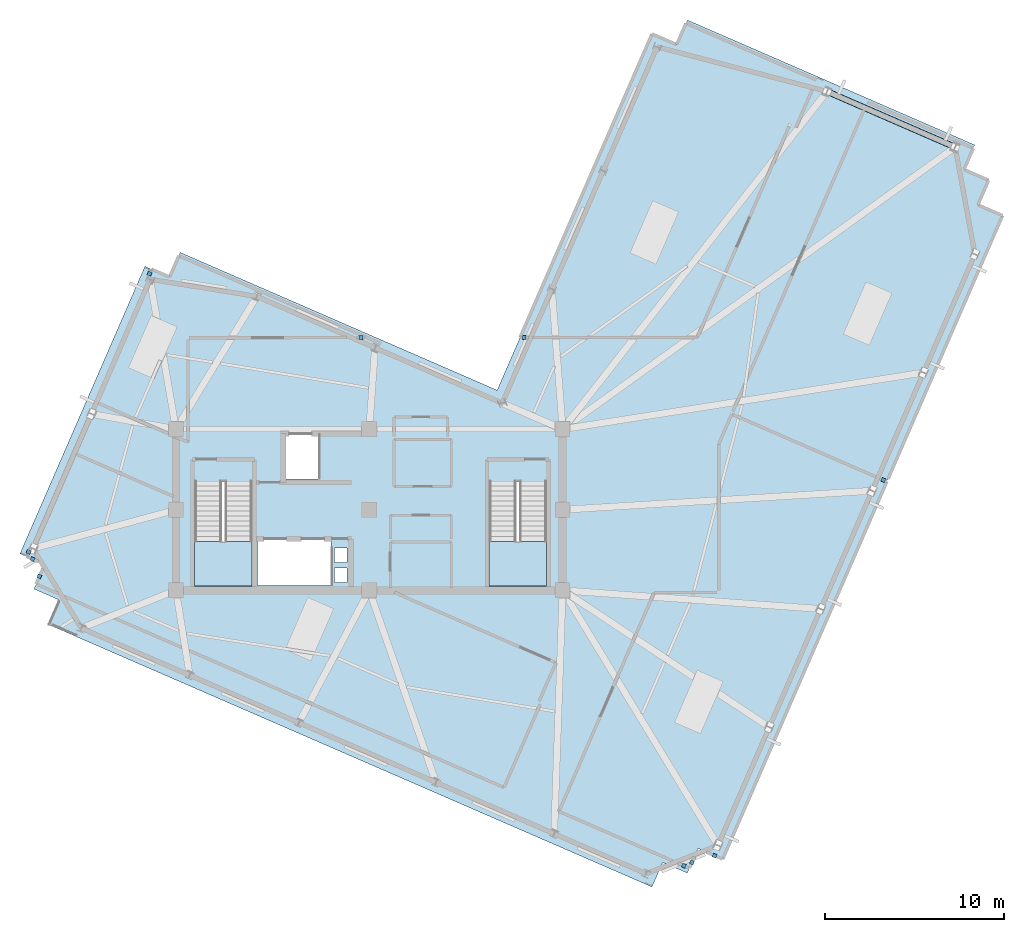
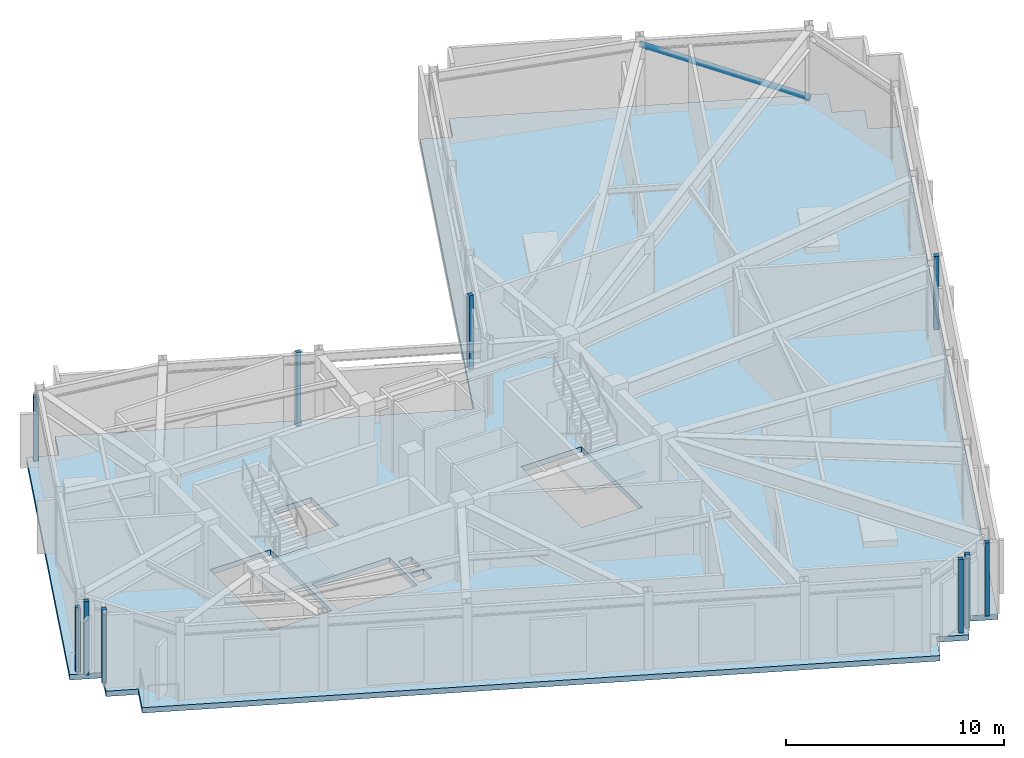
# One storey, part 4 of 11: 10 plates, 3 slabs, 1 member, 2 elements without a shape of their own.
"""IFC4 building model written with IfcOpenShell, lengths in metres."""

from ifc_helpers import new_model, si_unit, direction, frame, origin, origin_2d, place, context, subcontext, project, spatial, polyline, rectangle, hollow_circle, outline, extrude, material, layer, layer_set, material_profile, profile_set, type_object, element, aggregate, save


model = new_model("IFC4")

# Units and contexts
model_context = context("Model", 3, precision=1e-05, world=origin(), true_north=direction((0.0, 1.0)))
body_context = subcontext(model_context, "Body", "Model", "MODEL_VIEW")
ifc_project = project(units=[si_unit("LENGTHUNIT", "METRE"), si_unit("AREAUNIT", "SQUARE_METRE"), si_unit("VOLUMEUNIT", "CUBIC_METRE"), si_unit("PLANEANGLEUNIT", "RADIAN"), si_unit("MASSUNIT", "GRAM", prefix="KILO")], contexts=[model_context])

# Site, building, storey
site_placement = place(None, origin())
site = spatial("IfcSite", under=ifc_project, at=site_placement, CompositionType="ELEMENT")
building_placement = place(site_placement, origin())
building = spatial("IfcBuilding", under=site, at=building_placement, Name="Gaonmaruhae Medical Tower", CompositionType="ELEMENT")
storey_placement = place(building_placement, frame((0.0, 0.0, 338.199951171875)))
storey = spatial("IfcBuildingStorey", under=building, at=storey_placement, Name="L81", CompositionType="ELEMENT", Elevation=338.199951171875)

# Member
ifc_material_1 = material(Name="Steel SM355", Category="steel")
ifc_material_profile = material_profile(ifc_material_1, hollow_circle(Radius=0.1591796875, WallThickness=0.01025390625, at=origin_2d()), Name="CHS-318.5x10.3")
ifc_profile_set = profile_set([ifc_material_profile], Name="Steel SM355")
member_type = type_object("IfcMemberType", Name="PB-03 Perimeter Solid-Bay Tube Brace Upper (CHS-318.5x10.3)", PredefinedType="BRACE", material=ifc_profile_set)
member_placement = place(storey_placement, frame((57.525634765625, 32.552734375, 0.25), z_axis=(-0.832645637359, 0.362040848328, 0.419079547017), x_axis=(-0.398745568807, -0.917061596272, 0.0)))
element("IfcMember", 1, at=member_placement, inside=storey, type_object=member_type, Name="L81 Perimeter Tube Solid-Bay Brace E01-E02", PredefinedType="BRACE", context=body_context, shape_type="SweptSolid", body=[
    extrude(hollow_circle(Radius=0.1591796875, WallThickness=0.01025390625, at=origin_2d()), origin(), (0.0, 0.0, 1.0), 8.590576171875),
])

# Slab
ifc_material_2 = material(Name="Concrete C40/50", Category="concrete")
ifc_layer_1 = layer(ifc_material_2, 0.300048828125)
ifc_layer_set_1 = layer_set([ifc_layer_1], Name="Concrete C40/50")
slab_type_1 = type_object("IfcSlabType", Name="FS-300 Refuge & Plant Heavy Floor Slab", PredefinedType="FLOOR", material=ifc_layer_set_1)
slab_1_placement = place(storey_placement, frame((0.0, 0.0, -0.300048828125)))
element("IfcSlab", 2, at=slab_1_placement, inside=storey, type_object=slab_type_1, Name="L81 Structural Slab 1", PredefinedType="FLOOR", context=body_context, shape_type="SweptSolid", body=[
    extrude(outline(polyline([(44.540283203125, -7.218017578125), (60.171142578125, 28.730712890625), (58.795654296875, 29.328857421875), (59.393798828125, 30.70458984375), (58.01806640625, 31.302490234375), (58.6162109375, 32.67822265625), (42.567626953125, 39.65625), (41.969482421875, 38.28076171875), (40.593994140625, 38.87890625), (31.941162109375, 18.978515625), (14.241943359375, 26.674560546875), (13.643798828125, 25.298828125), (12.268310546875, 25.89697265625), (5.2900390625, 9.848388671875), (6.665771484375, 9.25048828125), (6.0673828125, 7.874755859375), (7.443115234375, 7.276611328125), (6.844970703125, 5.901123046875), (40.5927734375, -8.77294921875), (41.19091796875, -7.397216796875), (42.56640625, -7.995361328125), (43.164794921875, -6.619873046875), (44.540283203125, -7.218017578125)]), holes=[polyline([(23.550048828125, 9.050048828125), (23.550048828125, 8.25), (22.85009765625, 8.25), (22.85009765625, 9.050048828125), (23.550048828125, 9.050048828125)]), polyline([(18.550048828125, 8.074951171875), (18.550048828125, 10.625), (22.64990234375, 10.625), (22.64990234375, 8.074951171875), (18.550048828125, 8.074951171875)]), polyline([(23.550048828125, 9.35009765625), (22.85009765625, 9.35009765625), (22.85009765625, 10.14990234375), (23.550048828125, 10.14990234375), (23.550048828125, 9.35009765625)]), polyline([(15.050048828125, 8.300048828125), (15.050048828125, 13.889892578125), (18.25, 13.889892578125), (18.25, 8.300048828125), (15.050048828125, 8.300048828125)]), polyline([(31.5, 13.889892578125), (34.699951171875, 13.889892578125), (34.699951171875, 8.300048828125), (31.5, 8.300048828125), (31.5, 13.889892578125)]), polyline([(19.949951171875, 16.574951171875), (21.949951171875, 16.574951171875), (21.949951171875, 14.02490234375), (19.949951171875, 14.02490234375), (19.949951171875, 16.574951171875)])]), origin(), (0.0, 0.0, 1.0), 0.300048828125),
])

# Plates
ifc_material_3 = material(Name="Anodised aluminium 6063-T6", Category="aluminium")
ifc_layer_2 = layer(ifc_material_3, 0.011962890625)
ifc_layer_set_2 = layer_set([ifc_layer_2], Name="Anodised aluminium 6063-T6")
plate_type = type_object("IfcPlateType", Name="PP-01 Interior Partition Corner Stiffener Plate", PredefinedType="SHEET", material=ifc_layer_set_2)
for number, where, z_axis, x_axis, name in (
    (3, (53.511474609375, 13.96044921875, 0.0), (0.0, 0.0, 1.0), (0.917470197664, -0.397804520334, 0.0), "L81 Partition Corner Stiffener Plate PLT-L81-JGP-PW017"),
    (4, (44.08740234375, -7.02099609375, 0.0), (0.0, 0.0, 1.0), (-0.916879033383, 0.399165176517, 0.0), "L81 Partition Corner Stiffener Plate PLT-L81-JGP-PW019"),
    (5, (42.822998046875, -7.405029296875, 0.0), (0.0, 0.0, 1.0), (-0.398829095996, -0.917025273473, 0.0), "L81 Partition Corner Stiffener Plate PLT-L81-JGP-PW020"),
    (6, (42.37109375, -7.5830078125, 0.0), (0.0, 0.0, 1.0), (-0.917025273473, 0.398829095996, 0.0), "L81 Partition Corner Stiffener Plate PLT-L81-JGP-PW021"),
    (7, (33.45703125, 21.919921875, 0.0), (0.0, 0.0, 1.0), (-1.0, 0.0, 0.0), "L81 Partition Corner Stiffener Plate PLT-L81-JGP-PW034"),
):
    element("IfcPlate", number, at=place(storey_placement, frame(where, z_axis=z_axis, x_axis=x_axis)), inside=storey, type_object=plate_type, Name=name, PredefinedType="SHEET", context=body_context, shape_type="SweptSolid", body=[
        extrude(rectangle(XDim=0.219970703125, YDim=0.219970703125, at=origin_2d()), origin(), (0.0, 0.0, 1.0), 4.10009765625),
    ])
plate_1_placement = place(storey_placement, frame((5.7666015625, 9.94091796875, 0.0), z_axis=(0.0, 0.0, 1.0), x_axis=(0.398524976976, 0.917157479786, 0.0)))
element("IfcPlate", 8, at=plate_1_placement, inside=storey, type_object=plate_type, Name="L81 Partition Corner Stiffener Plate PLT-L81-JGP-PW040", PredefinedType="SHEET", context=body_context, shape_type="SweptSolid", body=[
    extrude(rectangle(XDim=0.219970703125, YDim=0.219970703125, at=origin_2d()), origin(), (0.0, 0.0, 1.0), 3.5849609375),
])
for number, where, z_axis, x_axis, name in (
    (9, (6.37451171875, 8.580078125, 0.0), (0.0, 0.0, 1.0), (0.399693194693, 0.91664897868, 0.0), "L81 Partition Corner Stiffener Plate PLT-L81-JGP-PW047"),
    (10, (5.991455078125, 9.54345703125, 0.0), (0.0, 0.0, 1.0), (-0.917004389573, 0.39887711078, 0.0), "L81 Partition Corner Stiffener Plate PLT-L81-JGP-PW048"),
    (11, (24.327880859375, 21.91845703125, 0.0), (0.0, 0.0, 1.0), (-0.999997806755, -0.002094393571, 0.0), "L81 Partition Corner Stiffener Plate PLT-L81-JGP-PW050"),
):
    element("IfcPlate", number, at=place(storey_placement, frame(where, z_axis=z_axis, x_axis=x_axis)), inside=storey, type_object=plate_type, Name=name, PredefinedType="SHEET", context=body_context, shape_type="SweptSolid", body=[
        extrude(rectangle(XDim=0.219970703125, YDim=0.219970703125, at=origin_2d()), origin(), (0.0, 0.0, 1.0), 4.10009765625),
    ])
plate_2_placement = place(storey_placement, frame((12.525390625, 25.485595703125, 0.0), z_axis=(0.0, 0.0, 1.0), x_axis=(0.397868570868, 0.917442423434, 0.0)))
element("IfcPlate", 12, at=plate_2_placement, inside=storey, type_object=plate_type, Name="L81 Partition Corner Stiffener Plate PLT-L81-JGP-PW054", PredefinedType="SHEET", context=body_context, shape_type="SweptSolid", body=[
    extrude(rectangle(XDim=0.219970703125, YDim=0.219970703125, at=origin_2d()), origin(), (0.0, 0.0, 1.0), 3.5849609375),
])

# Stair, slab
stair_type = type_object("IfcStairType", Name="ST-T1 Primary Core Escape Dogleg Stair", PredefinedType="TWO_QUARTER_TURN_STAIR", material=ifc_material_2)
stair_1_placement = place(storey_placement, origin())
stair_1 = element("IfcStair", 13, at=stair_1_placement, inside=storey, type_object=stair_type, Name="L81 Protected Escape Stair ST-01", PredefinedType="TWO_QUARTER_TURN_STAIR")
ifc_layer_3 = layer(ifc_material_2, 0.199951171875)
ifc_layer_set_3 = layer_set([ifc_layer_3], Name="Concrete C40/50")
slab_type_2 = type_object("IfcSlabType", Name="SL-200 Stair & Ramp Intermediate Concrete Landing", PredefinedType="LANDING", material=ifc_layer_set_3)
slab_2_placement = place(storey_placement, frame((0.0, 0.0, 2.0)))
slab_2 = element("IfcSlab", 14, at=slab_2_placement, type_object=slab_type_2, Name="ST-01 landing 1", PredefinedType="LANDING", context=body_context, shape_type="SweptSolid", body=[
    extrude(outline(polyline([(15.050048828125, 10.5400390625), (15.050048828125, 8.029052734375), (18.25, 8.029052734375), (18.25, 10.5400390625), (15.050048828125, 10.5400390625)])), origin(), (0.0, 0.0, 1.0), 0.199951171875),
])
aggregate(stair_1, [slab_2])

stair_2_placement = place(storey_placement, origin())
stair_2 = element("IfcStair", 15, at=stair_2_placement, inside=storey, type_object=stair_type, Name="L81 Protected Escape Stair ST-02", PredefinedType="TWO_QUARTER_TURN_STAIR")
slab_3_placement = place(storey_placement, frame((0.0, 0.0, 2.0)))
slab_3 = element("IfcSlab", 16, at=slab_3_placement, type_object=slab_type_2, Name="ST-02 landing 1", PredefinedType="LANDING", context=body_context, shape_type="SweptSolid", body=[
    extrude(outline(polyline([(31.5, 10.5400390625), (31.5, 8.029052734375), (34.699951171875, 8.029052734375), (34.699951171875, 10.5400390625), (31.5, 10.5400390625)])), origin(), (0.0, 0.0, 1.0), 0.199951171875),
])
aggregate(stair_2, [slab_3])

save(model, "model.ifc")
